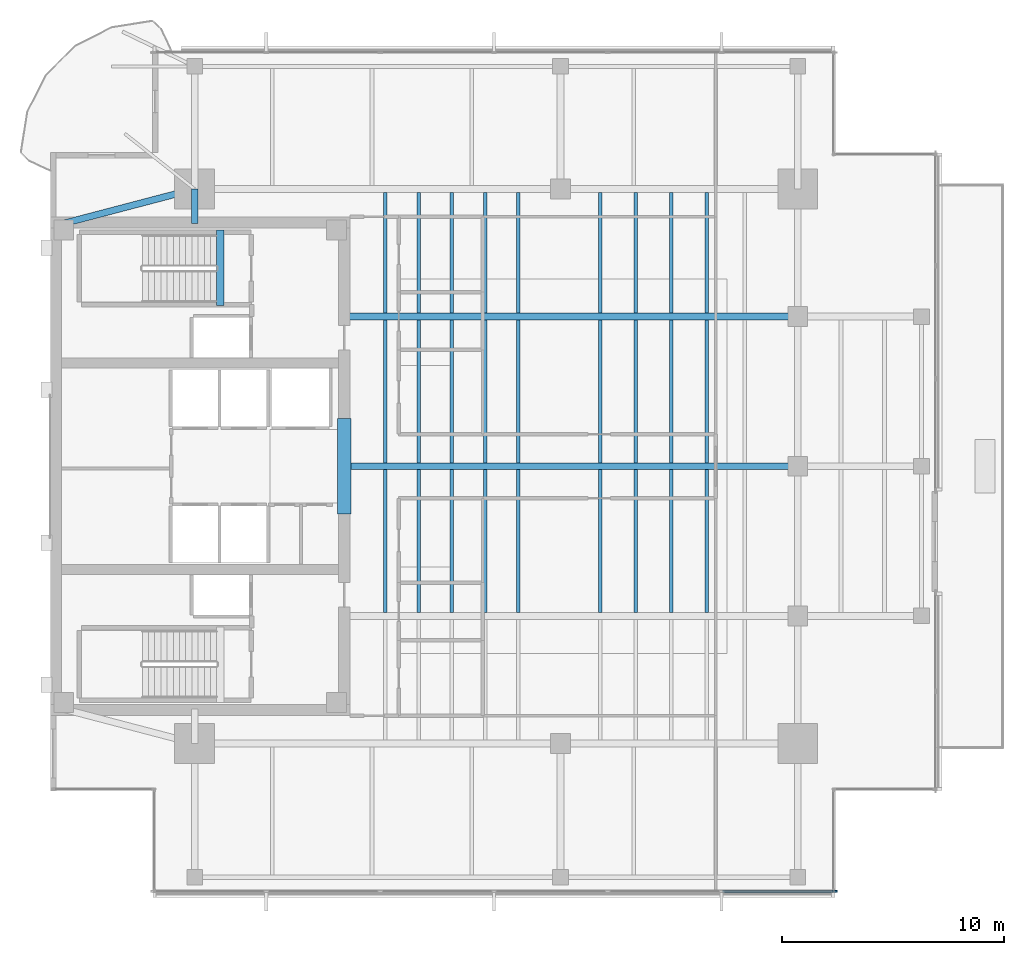
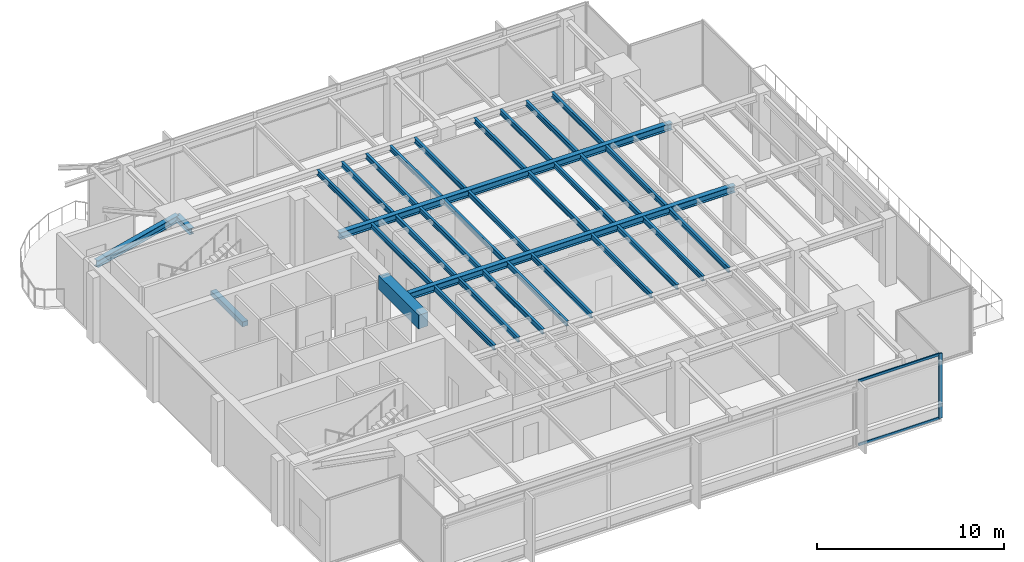
# One storey, part 3 of 14: 33 beams, 3 members, 1 element without a shape of its own.
"""IFC4 building model written with IfcOpenShell, lengths in metres."""

from ifc_helpers import new_model, si_unit, direction, frame, origin, origin_2d, place, context, subcontext, project, spatial, rectangle, i_section, extrude, material, layer, layer_set, material_profile, profile_set, type_object, element, aggregate, save


model = new_model("IFC4")

# Units and contexts
model_context = context("Model", 3, precision=1e-05, world=origin(), true_north=direction((0.0, 1.0)))
body_context = subcontext(model_context, "Body", "Model", "MODEL_VIEW")
ifc_project = project(units=[si_unit("LENGTHUNIT", "METRE"), si_unit("AREAUNIT", "SQUARE_METRE"), si_unit("VOLUMEUNIT", "CUBIC_METRE"), si_unit("PLANEANGLEUNIT", "RADIAN"), si_unit("MASSUNIT", "GRAM", prefix="KILO")], contexts=[model_context])

# Site, building, storey
site_placement = place(None, origin())
site = spatial("IfcSite", under=ifc_project, at=site_placement, CompositionType="ELEMENT")
building_placement = place(site_placement, origin())
building = spatial("IfcBuilding", under=site, at=building_placement, Name="Kinhvarn Gate Tower", CompositionType="ELEMENT")
storey_placement = place(building_placement, frame((0.0, 0.0, 244.85009765625)))
storey = spatial("IfcBuildingStorey", under=building, at=storey_placement, Name="L65", CompositionType="ELEMENT", Elevation=244.85009765625)

# Beams
ifc_material_1 = material(Name="Concrete C60/75", Category="concrete")
ifc_material_profile_1 = material_profile(ifc_material_1, rectangle(XDim=0.60009765625, YDim=0.89990234375, at=origin_2d()), Name="RC 600x900")
ifc_profile_set_1 = profile_set([ifc_material_profile_1], Name="Concrete C60/75")
beam_type_1 = type_object("IfcBeamType", Name="BM-CB-900", PredefinedType="LINTEL", material=ifc_profile_set_1)
beam_1_placement = place(storey_placement, frame((17.75, 23.10009765625, 3.789794921875), z_axis=(0.0, 1.0, 0.0), x_axis=(-1.0, 0.0, 0.0)))
element("IfcBeam", 1, at=beam_1_placement, inside=storey, type_object=beam_type_1, Name="Core East Portal Coupling Beam L65", PredefinedType="LINTEL", context=body_context, shape_type="SweptSolid", body=[
    extrude(rectangle(XDim=0.60009765625, YDim=0.89990234375, at=origin_2d()), origin(), (0.0, 0.0, 1.0), 4.2998046875),
])
ifc_material_2 = material(Name="Concrete C50/60", Category="concrete")
ifc_material_profile_2 = material_profile(ifc_material_2, rectangle(XDim=0.340087890625, YDim=0.320068359375, at=origin_2d()), Name="RC 340x320")
ifc_profile_set_2 = profile_set([ifc_material_profile_2], Name="Concrete C50/60")
beam_type_2 = type_object("IfcBeamType", Name="BM-LND-500", PredefinedType="BEAM", material=ifc_profile_set_2)
beam_2_placement = place(storey_placement, frame((12.1650390625, 32.5, -0.16015625), z_axis=(0.0, 1.0, 0.0), x_axis=(-1.0, 0.0, 0.0)))
element("IfcBeam", 2, at=beam_2_placement, inside=storey, type_object=beam_type_2, Name="Stair ST2 Landing Nosing Beam (L65)", PredefinedType="BEAM", context=body_context, shape_type="SweptSolid", body=[
    extrude(rectangle(XDim=0.340087890625, YDim=0.320068359375, at=origin_2d()), origin(), (0.0, 0.0, 1.0), 3.39990234375),
])

# Curtain wall, members
ifc_material_3 = material(Name="Anodised aluminium AW-6063", Category="aluminium")
ifc_layer = layer(ifc_material_3, 0.219970703125)
ifc_layer_set = layer_set([ifc_layer], Name="Anodised aluminium AW-6063")
curtain_wall_type = type_object("IfcCurtainWallType", Name="CW-SYS-5", PredefinedType="NOTDEFINED", material=ifc_layer_set)
curtain_wall_placement = place(storey_placement, origin())
curtain_wall = element("IfcCurtainWall", 3, at=curtain_wall_placement, inside=storey, type_object=curtain_wall_type, Name="Curtain Wall CW5 (L65)", PredefinedType="NOTDEFINED")
ifc_material_profile_3 = material_profile(ifc_material_3, rectangle(XDim=0.080078125, YDim=0.219970703125, at=origin_2d()), Name="ALU 80x220")
ifc_profile_set_3 = profile_set([ifc_material_profile_3], Name="Anodised aluminium AW-6063")
member_type_1 = type_object("IfcMemberType", Name="CW-MUL-220", PredefinedType="MULLION", material=ifc_profile_set_3)
member_1_placement = place(storey_placement, frame((39.860107421875, 6.090087890625, 0.0), z_axis=(0.0, 0.0, 1.0), x_axis=(0.0, 1.0, 0.0)))
member_1 = element("IfcMember", 4, at=member_1_placement, type_object=member_type_1, Name="CW5 mullion 7", PredefinedType="MULLION", context=body_context, shape_type="SweptSolid", body=[
    extrude(rectangle(XDim=0.080078125, YDim=0.219970703125, at=origin_2d()), origin(), (0.0, 0.0, 1.0), 4.239990234375),
])
ifc_material_profile_4 = material_profile(ifc_material_3, rectangle(XDim=0.080078125, YDim=0.159912109375, at=origin_2d()), Name="ALU 80x160")
ifc_profile_set_4 = profile_set([ifc_material_profile_4], Name="Anodised aluminium AW-6063")
member_type_2 = type_object("IfcMemberType", Name="CW-TRN-160", PredefinedType="USERDEFINED", material=ifc_profile_set_4)
member_2_placement = place(storey_placement, frame((34.806640625, 6.090087890625, 0.039794921875), z_axis=(1.0, 0.0, 0.0), x_axis=(0.0, 1.0, 0.0)))
member_2 = element("IfcMember", 5, at=member_2_placement, type_object=member_type_2, Name="CW5 transom 6.1", ObjectType="TRANSOM", PredefinedType="USERDEFINED", context=body_context, shape_type="SweptSolid", body=[
    extrude(rectangle(XDim=0.080078125, YDim=0.159912109375, at=origin_2d()), origin(), (0.0, 0.0, 1.0), 5.013427734375),
])
member_3_placement = place(storey_placement, frame((34.806640625, 6.090087890625, 4.199951171875), z_axis=(1.0, 0.0, 0.0), x_axis=(0.0, 1.0, 0.0)))
member_3 = element("IfcMember", 6, at=member_3_placement, type_object=member_type_2, Name="CW5 transom 6.2", ObjectType="TRANSOM", PredefinedType="USERDEFINED", context=body_context, shape_type="SweptSolid", body=[
    extrude(rectangle(XDim=0.080078125, YDim=0.159912109375, at=origin_2d()), origin(), (0.0, 0.0, 1.0), 5.013427734375),
])
aggregate(curtain_wall, [member_1, member_2, member_3])

# Beams
ifc_material_4 = material(Name="Steel S355", Category="steel")
ifc_material_profile_5 = material_profile(ifc_material_4, i_section(OverallWidth=0.300048828125, OverallDepth=0.39990234375, WebThickness=0.013427734375, FlangeThickness=0.02392578125, at=origin_2d()), Name="HEB 400")
ifc_profile_set_5 = profile_set([ifc_material_profile_5], Name="Steel S355")
beam_type_3 = type_object("IfcBeamType", Name="STL-HEB400", PredefinedType="BEAM", material=ifc_profile_set_5)
beam_3_placement = place(storey_placement, frame((11.0, 36.199951171875, 4.039794921875), z_axis=(0.0, 1.0, 0.0), x_axis=(-1.0, 0.0, 0.0)))
element("IfcBeam", 7, at=beam_3_placement, inside=storey, type_object=beam_type_3, Name="Floor Beam PG-12 (L65 MCW-CN)", PredefinedType="BEAM", context=body_context, shape_type="SweptSolid", body=[
    extrude(i_section(OverallWidth=0.300048828125, OverallDepth=0.39990234375, WebThickness=0.013427734375, FlangeThickness=0.02392578125, at=origin_2d()), origin(), (0.0, 0.0, 1.0), 1.550048828125),
])
ifc_material_profile_6 = material_profile(ifc_material_4, i_section(OverallWidth=0.300048828125, OverallDepth=0.449951171875, WebThickness=0.013916015625, FlangeThickness=0.02587890625, at=origin_2d()), Name="HEB 450")
ifc_profile_set_6 = profile_set([ifc_material_profile_6], Name="Steel S355")
beam_type_4 = type_object("IfcBeamType", Name="STL-HEB450", PredefinedType="BEAM", material=ifc_profile_set_6)
beam_4_placement = place(storey_placement, frame((5.10009765625, 36.199951171875, 4.014892578125), z_axis=(0.967177623957, 0.254101246979, 0.0), x_axis=(-0.254101246979, 0.967177623957, 0.0)))
element("IfcBeam", 8, at=beam_4_placement, inside=storey, type_object=beam_type_4, Name="Floor Beam PG-13 (L65 MG-NW-DIAG)", PredefinedType="BEAM", context=body_context, shape_type="SweptSolid", body=[
    extrude(i_section(OverallWidth=0.300048828125, OverallDepth=0.449951171875, WebThickness=0.013916015625, FlangeThickness=0.02587890625, at=origin_2d()), origin(), (0.0, 0.0, 1.0), 6.10009765625),
])
beam_5_placement = place(storey_placement, frame((18.050048828125, 25.25, 4.014892578125), z_axis=(1.0, 0.0, 0.0), x_axis=(0.0, 1.0, 0.0)))
element("IfcBeam", 9, at=beam_5_placement, inside=storey, type_object=beam_type_4, Name="Floor Beam PG-13 (L65 EW1-Y25)", PredefinedType="BEAM", context=body_context, shape_type="SweptSolid", body=[
    extrude(i_section(OverallWidth=0.300048828125, OverallDepth=0.449951171875, WebThickness=0.013916015625, FlangeThickness=0.02587890625, at=origin_2d()), origin(), (0.0, 0.0, 1.0), 20.14990234375),
])
beam_6_placement = place(storey_placement, frame((17.64990234375, 32.0, 4.014892578125), z_axis=(1.0, 0.0, 0.0), x_axis=(0.0, 1.0, 0.0)))
element("IfcBeam", 10, at=beam_6_placement, inside=storey, type_object=beam_type_4, Name="Floor Beam PG-13 (L65 EW1-Y32)", PredefinedType="BEAM", context=body_context, shape_type="SweptSolid", body=[
    extrude(i_section(OverallWidth=0.300048828125, OverallDepth=0.449951171875, WebThickness=0.013916015625, FlangeThickness=0.02587890625, at=origin_2d()), origin(), (0.0, 0.0, 1.0), 20.550048828125),
])
ifc_material_profile_7 = material_profile(ifc_material_4, i_section(OverallWidth=0.159912109375, OverallDepth=0.330078125, WebThickness=0.007568359375, FlangeThickness=0.011474609375, at=origin_2d()), Name="IPE 330")
ifc_profile_set_7 = profile_set([ifc_material_profile_7], Name="Steel S355")
beam_type_5 = type_object("IfcBeamType", Name="STL-IPE330", PredefinedType="JOIST", material=ifc_profile_set_7)
for number, where, z_axis, x_axis, name in (
    (11, (19.60009765625, 18.64990234375, 4.074951171875), (0.0, 1.0, 0.0), (-1.0, 0.0, 0.0), "Floor Joist SB-03 (L65 JC-X196-1)"),
    (12, (19.60009765625, 25.39990234375, 4.074951171875), (0.0, 1.0, 0.0), (-1.0, 0.0, 0.0), "Floor Joist SB-03 (L65 JC-X196-2)"),
):
    element("IfcBeam", number, at=place(storey_placement, frame(where, z_axis=z_axis, x_axis=x_axis)), inside=storey, type_object=beam_type_5, Name=name, PredefinedType="JOIST", context=body_context, shape_type="SweptSolid", body=[
        extrude(i_section(OverallWidth=0.159912109375, OverallDepth=0.330078125, WebThickness=0.007568359375, FlangeThickness=0.011474609375, at=origin_2d()), origin(), (0.0, 0.0, 1.0), 6.4501953125),
    ])
beam_7_placement = place(storey_placement, frame((19.60009765625, 32.14990234375, 4.074951171875), z_axis=(0.0, 1.0, 0.0), x_axis=(-1.0, 0.0, 0.0)))
element("IfcBeam", 13, at=beam_7_placement, inside=storey, type_object=beam_type_5, Name="Floor Joist SB-03 (L65 JC-X196-3)", PredefinedType="JOIST", context=body_context, shape_type="SweptSolid", body=[
    extrude(i_section(OverallWidth=0.159912109375, OverallDepth=0.330078125, WebThickness=0.007568359375, FlangeThickness=0.011474609375, at=origin_2d()), origin(), (0.0, 0.0, 1.0), 5.4501953125),
])
for number, where, z_axis, x_axis, name in (
    (14, (21.10009765625, 18.64990234375, 4.074951171875), (0.0, 1.0, 0.0), (-1.0, 0.0, 0.0), "Floor Joist SB-03 (L65 JC-X211-1)"),
    (15, (21.10009765625, 25.39990234375, 4.074951171875), (0.0, 1.0, 0.0), (-1.0, 0.0, 0.0), "Floor Joist SB-03 (L65 JC-X211-2)"),
):
    element("IfcBeam", number, at=place(storey_placement, frame(where, z_axis=z_axis, x_axis=x_axis)), inside=storey, type_object=beam_type_5, Name=name, PredefinedType="JOIST", context=body_context, shape_type="SweptSolid", body=[
        extrude(i_section(OverallWidth=0.159912109375, OverallDepth=0.330078125, WebThickness=0.007568359375, FlangeThickness=0.011474609375, at=origin_2d()), origin(), (0.0, 0.0, 1.0), 6.4501953125),
    ])
beam_8_placement = place(storey_placement, frame((21.10009765625, 32.14990234375, 4.074951171875), z_axis=(0.0, 1.0, 0.0), x_axis=(-1.0, 0.0, 0.0)))
element("IfcBeam", 16, at=beam_8_placement, inside=storey, type_object=beam_type_5, Name="Floor Joist SB-03 (L65 JC-X211-3)", PredefinedType="JOIST", context=body_context, shape_type="SweptSolid", body=[
    extrude(i_section(OverallWidth=0.159912109375, OverallDepth=0.330078125, WebThickness=0.007568359375, FlangeThickness=0.011474609375, at=origin_2d()), origin(), (0.0, 0.0, 1.0), 5.4501953125),
])
for number, where, z_axis, x_axis, name in (
    (17, (22.60009765625, 18.64990234375, 4.074951171875), (0.0, 1.0, 0.0), (-1.0, 0.0, 0.0), "Floor Joist SB-03 (L65 JC-X226-1)"),
    (18, (22.60009765625, 25.39990234375, 4.074951171875), (0.0, 1.0, 0.0), (-1.0, 0.0, 0.0), "Floor Joist SB-03 (L65 JC-X226-2)"),
):
    element("IfcBeam", number, at=place(storey_placement, frame(where, z_axis=z_axis, x_axis=x_axis)), inside=storey, type_object=beam_type_5, Name=name, PredefinedType="JOIST", context=body_context, shape_type="SweptSolid", body=[
        extrude(i_section(OverallWidth=0.159912109375, OverallDepth=0.330078125, WebThickness=0.007568359375, FlangeThickness=0.011474609375, at=origin_2d()), origin(), (0.0, 0.0, 1.0), 6.4501953125),
    ])
beam_9_placement = place(storey_placement, frame((22.60009765625, 32.14990234375, 4.074951171875), z_axis=(0.0, 1.0, 0.0), x_axis=(-1.0, 0.0, 0.0)))
element("IfcBeam", 19, at=beam_9_placement, inside=storey, type_object=beam_type_5, Name="Floor Joist SB-03 (L65 JC-X226-3)", PredefinedType="JOIST", context=body_context, shape_type="SweptSolid", body=[
    extrude(i_section(OverallWidth=0.159912109375, OverallDepth=0.330078125, WebThickness=0.007568359375, FlangeThickness=0.011474609375, at=origin_2d()), origin(), (0.0, 0.0, 1.0), 5.4501953125),
])
for number, where, z_axis, x_axis, name in (
    (20, (24.10009765625, 18.64990234375, 4.074951171875), (0.0, 1.0, 0.0), (-1.0, 0.0, 0.0), "Floor Joist SB-03 (L65 JC-X241-1)"),
    (21, (24.10009765625, 25.39990234375, 4.074951171875), (0.0, 1.0, 0.0), (-1.0, 0.0, 0.0), "Floor Joist SB-03 (L65 JC-X241-2)"),
):
    element("IfcBeam", number, at=place(storey_placement, frame(where, z_axis=z_axis, x_axis=x_axis)), inside=storey, type_object=beam_type_5, Name=name, PredefinedType="JOIST", context=body_context, shape_type="SweptSolid", body=[
        extrude(i_section(OverallWidth=0.159912109375, OverallDepth=0.330078125, WebThickness=0.007568359375, FlangeThickness=0.011474609375, at=origin_2d()), origin(), (0.0, 0.0, 1.0), 6.4501953125),
    ])
beam_10_placement = place(storey_placement, frame((24.10009765625, 32.14990234375, 4.074951171875), z_axis=(0.0, 1.0, 0.0), x_axis=(-1.0, 0.0, 0.0)))
element("IfcBeam", 22, at=beam_10_placement, inside=storey, type_object=beam_type_5, Name="Floor Joist SB-03 (L65 JC-X241-3)", PredefinedType="JOIST", context=body_context, shape_type="SweptSolid", body=[
    extrude(i_section(OverallWidth=0.159912109375, OverallDepth=0.330078125, WebThickness=0.007568359375, FlangeThickness=0.011474609375, at=origin_2d()), origin(), (0.0, 0.0, 1.0), 5.4501953125),
])
for number, where, z_axis, x_axis, name in (
    (23, (25.60009765625, 18.64990234375, 4.074951171875), (0.0, 1.0, 0.0), (-1.0, 0.0, 0.0), "Floor Joist SB-03 (L65 JC-X256-1)"),
    (24, (25.60009765625, 25.39990234375, 4.074951171875), (0.0, 1.0, 0.0), (-1.0, 0.0, 0.0), "Floor Joist SB-03 (L65 JC-X256-2)"),
):
    element("IfcBeam", number, at=place(storey_placement, frame(where, z_axis=z_axis, x_axis=x_axis)), inside=storey, type_object=beam_type_5, Name=name, PredefinedType="JOIST", context=body_context, shape_type="SweptSolid", body=[
        extrude(i_section(OverallWidth=0.159912109375, OverallDepth=0.330078125, WebThickness=0.007568359375, FlangeThickness=0.011474609375, at=origin_2d()), origin(), (0.0, 0.0, 1.0), 6.4501953125),
    ])
beam_11_placement = place(storey_placement, frame((25.60009765625, 32.14990234375, 4.074951171875), z_axis=(0.0, 1.0, 0.0), x_axis=(-1.0, 0.0, 0.0)))
element("IfcBeam", 25, at=beam_11_placement, inside=storey, type_object=beam_type_5, Name="Floor Joist SB-03 (L65 JC-X256-3)", PredefinedType="JOIST", context=body_context, shape_type="SweptSolid", body=[
    extrude(i_section(OverallWidth=0.159912109375, OverallDepth=0.330078125, WebThickness=0.007568359375, FlangeThickness=0.011474609375, at=origin_2d()), origin(), (0.0, 0.0, 1.0), 5.4501953125),
])
for number, where, z_axis, x_axis, name in (
    (26, (29.300048828125, 18.64990234375, 4.074951171875), (0.0, 1.0, 0.0), (-1.0, 0.0, 0.0), "Floor Joist SB-03 (L65 JC-X293-1)"),
    (27, (29.300048828125, 25.39990234375, 4.074951171875), (0.0, 1.0, 0.0), (-1.0, 0.0, 0.0), "Floor Joist SB-03 (L65 JC-X293-2)"),
):
    element("IfcBeam", number, at=place(storey_placement, frame(where, z_axis=z_axis, x_axis=x_axis)), inside=storey, type_object=beam_type_5, Name=name, PredefinedType="JOIST", context=body_context, shape_type="SweptSolid", body=[
        extrude(i_section(OverallWidth=0.159912109375, OverallDepth=0.330078125, WebThickness=0.007568359375, FlangeThickness=0.011474609375, at=origin_2d()), origin(), (0.0, 0.0, 1.0), 6.4501953125),
    ])
beam_12_placement = place(storey_placement, frame((29.300048828125, 32.14990234375, 4.074951171875), z_axis=(0.0, 1.0, 0.0), x_axis=(-1.0, 0.0, 0.0)))
element("IfcBeam", 28, at=beam_12_placement, inside=storey, type_object=beam_type_5, Name="Floor Joist SB-03 (L65 JC-X293-3)", PredefinedType="JOIST", context=body_context, shape_type="SweptSolid", body=[
    extrude(i_section(OverallWidth=0.159912109375, OverallDepth=0.330078125, WebThickness=0.007568359375, FlangeThickness=0.011474609375, at=origin_2d()), origin(), (0.0, 0.0, 1.0), 5.4501953125),
])
for number, where, z_axis, x_axis, name in (
    (29, (30.89990234375, 18.64990234375, 4.074951171875), (0.0, 1.0, 0.0), (-1.0, 0.0, 0.0), "Floor Joist SB-03 (L65 JC-X309-1)"),
    (30, (30.89990234375, 25.39990234375, 4.074951171875), (0.0, 1.0, 0.0), (-1.0, 0.0, 0.0), "Floor Joist SB-03 (L65 JC-X309-2)"),
):
    element("IfcBeam", number, at=place(storey_placement, frame(where, z_axis=z_axis, x_axis=x_axis)), inside=storey, type_object=beam_type_5, Name=name, PredefinedType="JOIST", context=body_context, shape_type="SweptSolid", body=[
        extrude(i_section(OverallWidth=0.159912109375, OverallDepth=0.330078125, WebThickness=0.007568359375, FlangeThickness=0.011474609375, at=origin_2d()), origin(), (0.0, 0.0, 1.0), 6.4501953125),
    ])
beam_13_placement = place(storey_placement, frame((30.89990234375, 32.14990234375, 4.074951171875), z_axis=(0.0, 1.0, 0.0), x_axis=(-1.0, 0.0, 0.0)))
element("IfcBeam", 31, at=beam_13_placement, inside=storey, type_object=beam_type_5, Name="Floor Joist SB-03 (L65 JC-X309-3)", PredefinedType="JOIST", context=body_context, shape_type="SweptSolid", body=[
    extrude(i_section(OverallWidth=0.159912109375, OverallDepth=0.330078125, WebThickness=0.007568359375, FlangeThickness=0.011474609375, at=origin_2d()), origin(), (0.0, 0.0, 1.0), 5.4501953125),
])
for number, where, z_axis, x_axis, name in (
    (32, (32.5, 18.64990234375, 4.074951171875), (0.0, 1.0, 0.0), (-1.0, 0.0, 0.0), "Floor Joist SB-03 (L65 JC-X325-1)"),
    (33, (32.5, 25.39990234375, 4.074951171875), (0.0, 1.0, 0.0), (-1.0, 0.0, 0.0), "Floor Joist SB-03 (L65 JC-X325-2)"),
):
    element("IfcBeam", number, at=place(storey_placement, frame(where, z_axis=z_axis, x_axis=x_axis)), inside=storey, type_object=beam_type_5, Name=name, PredefinedType="JOIST", context=body_context, shape_type="SweptSolid", body=[
        extrude(i_section(OverallWidth=0.159912109375, OverallDepth=0.330078125, WebThickness=0.007568359375, FlangeThickness=0.011474609375, at=origin_2d()), origin(), (0.0, 0.0, 1.0), 6.4501953125),
    ])
beam_14_placement = place(storey_placement, frame((32.5, 32.14990234375, 4.074951171875), z_axis=(0.0, 1.0, 0.0), x_axis=(-1.0, 0.0, 0.0)))
element("IfcBeam", 34, at=beam_14_placement, inside=storey, type_object=beam_type_5, Name="Floor Joist SB-03 (L65 JC-X325-3)", PredefinedType="JOIST", context=body_context, shape_type="SweptSolid", body=[
    extrude(i_section(OverallWidth=0.159912109375, OverallDepth=0.330078125, WebThickness=0.007568359375, FlangeThickness=0.011474609375, at=origin_2d()), origin(), (0.0, 0.0, 1.0), 5.4501953125),
])
for number, where, z_axis, x_axis, name in (
    (35, (34.10009765625, 18.64990234375, 4.074951171875), (0.0, 1.0, 0.0), (-1.0, 0.0, 0.0), "Floor Joist SB-03 (L65 JC-X341-1)"),
    (36, (34.10009765625, 25.39990234375, 4.074951171875), (0.0, 1.0, 0.0), (-1.0, 0.0, 0.0), "Floor Joist SB-03 (L65 JC-X341-2)"),
):
    element("IfcBeam", number, at=place(storey_placement, frame(where, z_axis=z_axis, x_axis=x_axis)), inside=storey, type_object=beam_type_5, Name=name, PredefinedType="JOIST", context=body_context, shape_type="SweptSolid", body=[
        extrude(i_section(OverallWidth=0.159912109375, OverallDepth=0.330078125, WebThickness=0.007568359375, FlangeThickness=0.011474609375, at=origin_2d()), origin(), (0.0, 0.0, 1.0), 6.4501953125),
    ])
beam_15_placement = place(storey_placement, frame((34.10009765625, 32.14990234375, 4.074951171875), z_axis=(0.0, 1.0, 0.0), x_axis=(-1.0, 0.0, 0.0)))
element("IfcBeam", 37, at=beam_15_placement, inside=storey, type_object=beam_type_5, Name="Floor Joist SB-03 (L65 JC-X341-3)", PredefinedType="JOIST", context=body_context, shape_type="SweptSolid", body=[
    extrude(i_section(OverallWidth=0.159912109375, OverallDepth=0.330078125, WebThickness=0.007568359375, FlangeThickness=0.011474609375, at=origin_2d()), origin(), (0.0, 0.0, 1.0), 5.4501953125),
])

save(model, "model.ifc")
